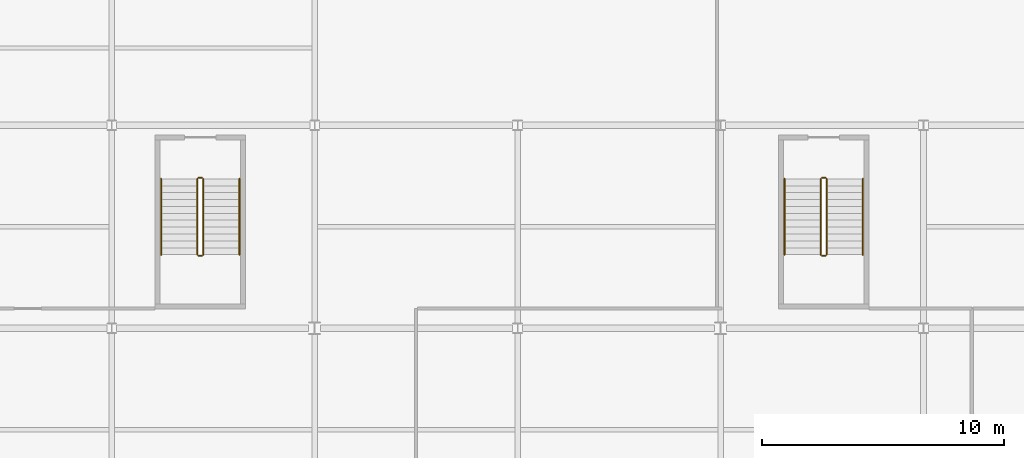
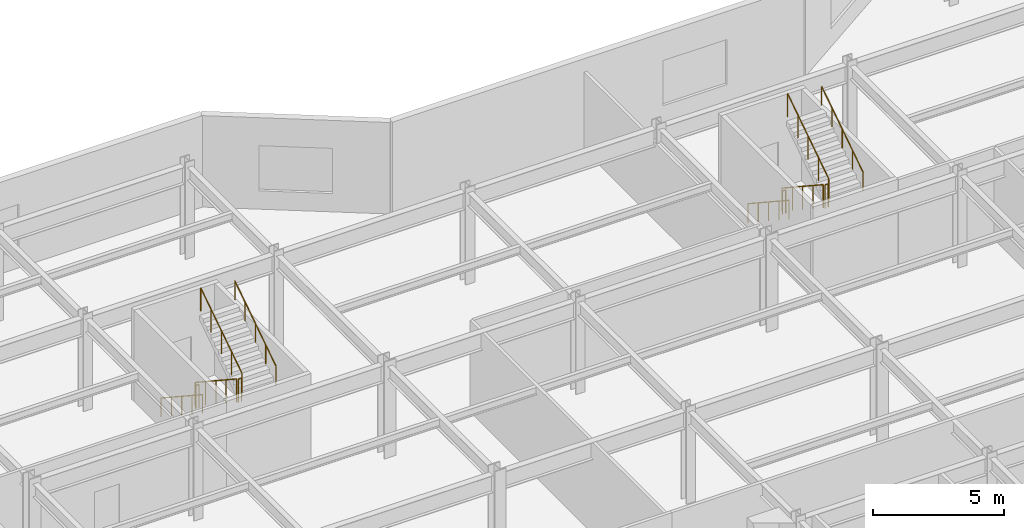
# One storey, part 23 of 26: 12 railings.
"""IFC4 building model written with IfcOpenShell, lengths in metres."""

from ifc_helpers import new_model, si_unit, direction, frame, origin, origin_2d, place, context, subcontext, project, spatial, circle, extrude, material, type_object, element, save


model = new_model("IFC4")

# Units and contexts
model_context = context("Model", 3, precision=1e-05, world=origin(), true_north=direction((0.0, 1.0)))
body_context = subcontext(model_context, "Body", "Model", "MODEL_VIEW")
ifc_project = project(units=[si_unit("LENGTHUNIT", "METRE"), si_unit("AREAUNIT", "SQUARE_METRE"), si_unit("VOLUMEUNIT", "CUBIC_METRE"), si_unit("PLANEANGLEUNIT", "RADIAN"), si_unit("MASSUNIT", "GRAM", prefix="KILO")], contexts=[model_context])

# Site, building, storey
site_placement = place(None, origin())
site = spatial("IfcSite", under=ifc_project, at=site_placement, CompositionType="ELEMENT")
building_placement = place(site_placement, origin())
building = spatial("IfcBuilding", under=site, at=building_placement, Name="Varnakote Quay Hospital", CompositionType="ELEMENT")
storey_placement = place(building_placement, frame((0.0, 0.0, 9.0)))
storey = spatial("IfcBuildingStorey", under=building, at=storey_placement, Name="L02", CompositionType="ELEMENT", Elevation=9.0)

# Railings
ifc_material_1 = material(Name="Brushed stainless steel balustrade", Category="steel")
railing_type_1 = type_object("IfcRailingType", Name="RLG-STAIR-GUARD-1150", PredefinedType="GUARDRAIL", material=ifc_material_1)
railing_1_placement = place(storey_placement, frame((11.949951171875, 34.97998046875, 0.1875)))
element("IfcRailing", 1, at=railing_1_placement, inside=storey, type_object=railing_type_1, Name="L02 ST-04 stair guard 1", PredefinedType="GUARDRAIL", context=body_context, shape_type="SweptSolid", body=[
    extrude(circle(Radius=0.02392578125, at=origin_2d()), frame((0.0, 0.0, 1.076171875), z_axis=(0.0, -0.835417868355, 0.549615306585), x_axis=(1.0, 0.0, 0.0)), (0.0, 0.0, 1.0), 3.752685546875),
    extrude(circle(Radius=0.02099609375, at=origin_2d()), origin(), (0.0, 0.0, 1.0), 1.052001953125),
    extrude(circle(Radius=0.02099609375, at=origin_2d()), frame((0.0, -0.78369140625, 0.515625)), (0.0, 0.0, 1.0), 1.052001953125),
    extrude(circle(Radius=0.02099609375, at=origin_2d()), frame((0.0, -1.5673828125, 1.03125)), (0.0, 0.0, 1.0), 1.052001953125),
    extrude(circle(Radius=0.02099609375, at=origin_2d()), frame((0.0, -2.351318359375, 1.546875)), (0.0, 0.0, 1.0), 1.052001953125),
    extrude(circle(Radius=0.02099609375, at=origin_2d()), frame((0.0, -3.135009765625, 2.0625)), (0.0, 0.0, 1.0), 1.052001953125),
])
railing_2_placement = place(storey_placement, frame((12.0, 31.794921875, 2.25)))
element("IfcRailing", 2, at=railing_2_placement, inside=storey, type_object=railing_type_1, Name="L02 ST-04 stair guard 2", PredefinedType="GUARDRAIL", context=body_context, shape_type="SweptSolid", body=[
    extrude(circle(Radius=0.02392578125, at=origin_2d()), frame((0.0, 0.0, 1.076171875), z_axis=(1.0, 0.0, 0.0), x_axis=(0.0, 1.0, 0.0)), (0.0, 0.0, 1.0), 0.139892578125),
    extrude(circle(Radius=0.02099609375, at=origin_2d()), origin(), (0.0, 0.0, 1.0), 1.052001953125),
    extrude(circle(Radius=0.02099609375, at=origin_2d()), frame((0.139892578125, 0.0, 0.0)), (0.0, 0.0, 1.0), 1.052001953125),
])
railing_3_placement = place(storey_placement, frame((12.18994140625, 31.844970703125, 2.4375)))
element("IfcRailing", 3, at=railing_3_placement, inside=storey, type_object=railing_type_1, Name="L02 ST-04 stair guard 3", PredefinedType="GUARDRAIL", context=body_context, shape_type="SweptSolid", body=[
    extrude(circle(Radius=0.02392578125, at=origin_2d()), frame((0.0, 0.0, 1.076171875), z_axis=(0.0, 0.835417868355, 0.549615306585), x_axis=(-1.0, 0.0, 0.0)), (0.0, 0.0, 1.0), 3.752685546875),
    extrude(circle(Radius=0.02099609375, at=origin_2d()), origin(), (0.0, 0.0, 1.0), 1.052001953125),
    extrude(circle(Radius=0.02099609375, at=origin_2d()), frame((0.0, 0.78369140625, 0.515625)), (0.0, 0.0, 1.0), 1.052001953125),
    extrude(circle(Radius=0.02099609375, at=origin_2d()), frame((0.0, 1.5673828125, 1.03125)), (0.0, 0.0, 1.0), 1.052001953125),
    extrude(circle(Radius=0.02099609375, at=origin_2d()), frame((0.0, 2.351318359375, 1.546875)), (0.0, 0.0, 1.0), 1.052001953125),
    extrude(circle(Radius=0.02099609375, at=origin_2d()), frame((0.0, 3.135009765625, 2.0625)), (0.0, 0.0, 1.0), 1.052001953125),
])
railing_4_placement = place(storey_placement, frame((12.0, 35.030029296875, 0.0)))
element("IfcRailing", 4, at=railing_4_placement, inside=storey, type_object=railing_type_1, Name="L02 ST-04 stair guard 4", PredefinedType="GUARDRAIL", context=body_context, shape_type="SweptSolid", body=[
    extrude(circle(Radius=0.02392578125, at=origin_2d()), frame((0.0, 0.0, 1.076171875), z_axis=(1.0, 0.0, 0.0), x_axis=(0.0, 1.0, 0.0)), (0.0, 0.0, 1.0), 0.139892578125),
    extrude(circle(Radius=0.02099609375, at=origin_2d()), origin(), (0.0, 0.0, 1.0), 1.052001953125),
    extrude(circle(Radius=0.02099609375, at=origin_2d()), frame((0.139892578125, 0.0, 0.0)), (0.0, 0.0, 1.0), 1.052001953125),
])
railing_5_placement = place(storey_placement, frame((37.75, 34.97998046875, 0.1875)))
element("IfcRailing", 5, at=railing_5_placement, inside=storey, type_object=railing_type_1, Name="L02 ST-05 stair guard 1", PredefinedType="GUARDRAIL", context=body_context, shape_type="SweptSolid", body=[
    extrude(circle(Radius=0.02392578125, at=origin_2d()), frame((0.0, 0.0, 1.076171875), z_axis=(0.0, -0.835417868355, 0.549615306585), x_axis=(1.0, 0.0, 0.0)), (0.0, 0.0, 1.0), 3.752685546875),
    extrude(circle(Radius=0.02099609375, at=origin_2d()), origin(), (0.0, 0.0, 1.0), 1.052001953125),
    extrude(circle(Radius=0.02099609375, at=origin_2d()), frame((0.0, -0.78369140625, 0.515625)), (0.0, 0.0, 1.0), 1.052001953125),
    extrude(circle(Radius=0.02099609375, at=origin_2d()), frame((0.0, -1.5673828125, 1.03125)), (0.0, 0.0, 1.0), 1.052001953125),
    extrude(circle(Radius=0.02099609375, at=origin_2d()), frame((0.0, -2.351318359375, 1.546875)), (0.0, 0.0, 1.0), 1.052001953125),
    extrude(circle(Radius=0.02099609375, at=origin_2d()), frame((0.0, -3.135009765625, 2.0625)), (0.0, 0.0, 1.0), 1.052001953125),
])
railing_6_placement = place(storey_placement, frame((37.800048828125, 31.794921875, 2.25)))
element("IfcRailing", 6, at=railing_6_placement, inside=storey, type_object=railing_type_1, Name="L02 ST-05 stair guard 2", PredefinedType="GUARDRAIL", context=body_context, shape_type="SweptSolid", body=[
    extrude(circle(Radius=0.02392578125, at=origin_2d()), frame((0.0, 0.0, 1.076171875), z_axis=(1.0, 0.0, 0.0), x_axis=(0.0, 1.0, 0.0)), (0.0, 0.0, 1.0), 0.139892578125),
    extrude(circle(Radius=0.02099609375, at=origin_2d()), origin(), (0.0, 0.0, 1.0), 1.052001953125),
    extrude(circle(Radius=0.02099609375, at=origin_2d()), frame((0.139892578125, 0.0, 0.0)), (0.0, 0.0, 1.0), 1.052001953125),
])
railing_7_placement = place(storey_placement, frame((37.989990234375, 31.844970703125, 2.4375)))
element("IfcRailing", 7, at=railing_7_placement, inside=storey, type_object=railing_type_1, Name="L02 ST-05 stair guard 3", PredefinedType="GUARDRAIL", context=body_context, shape_type="SweptSolid", body=[
    extrude(circle(Radius=0.02392578125, at=origin_2d()), frame((0.0, 0.0, 1.076171875), z_axis=(0.0, 0.835417868355, 0.549615306585), x_axis=(-1.0, 0.0, 0.0)), (0.0, 0.0, 1.0), 3.752685546875),
    extrude(circle(Radius=0.02099609375, at=origin_2d()), origin(), (0.0, 0.0, 1.0), 1.052001953125),
    extrude(circle(Radius=0.02099609375, at=origin_2d()), frame((0.0, 0.78369140625, 0.515625)), (0.0, 0.0, 1.0), 1.052001953125),
    extrude(circle(Radius=0.02099609375, at=origin_2d()), frame((0.0, 1.5673828125, 1.03125)), (0.0, 0.0, 1.0), 1.052001953125),
    extrude(circle(Radius=0.02099609375, at=origin_2d()), frame((0.0, 2.351318359375, 1.546875)), (0.0, 0.0, 1.0), 1.052001953125),
    extrude(circle(Radius=0.02099609375, at=origin_2d()), frame((0.0, 3.135009765625, 2.0625)), (0.0, 0.0, 1.0), 1.052001953125),
])
railing_8_placement = place(storey_placement, frame((37.800048828125, 35.030029296875, 0.0)))
element("IfcRailing", 8, at=railing_8_placement, inside=storey, type_object=railing_type_1, Name="L02 ST-05 stair guard 4", PredefinedType="GUARDRAIL", context=body_context, shape_type="SweptSolid", body=[
    extrude(circle(Radius=0.02392578125, at=origin_2d()), frame((0.0, 0.0, 1.076171875), z_axis=(1.0, 0.0, 0.0), x_axis=(0.0, 1.0, 0.0)), (0.0, 0.0, 1.0), 0.139892578125),
    extrude(circle(Radius=0.02099609375, at=origin_2d()), origin(), (0.0, 0.0, 1.0), 1.052001953125),
    extrude(circle(Radius=0.02099609375, at=origin_2d()), frame((0.139892578125, 0.0, 0.0)), (0.0, 0.0, 1.0), 1.052001953125),
])
ifc_material_2 = material(Name="Brushed stainless steel handrail", Category="steel")
railing_type_2 = type_object("IfcRailingType", Name="RLG-STAIR-HND-920", PredefinedType="HANDRAIL", material=ifc_material_2)
railing_9_placement = place(storey_placement, frame((10.449951171875, 34.97998046875, 0.1875)))
element("IfcRailing", 9, at=railing_9_placement, inside=storey, type_object=railing_type_2, Name="L02 ST-04 stair handrail 1", PredefinedType="HANDRAIL", context=body_context, shape_type="SweptSolid", body=[
    extrude(circle(Radius=0.02392578125, at=origin_2d()), frame((0.0, 0.0, 0.8759765625), z_axis=(0.0, -0.835417868355, 0.549615306585), x_axis=(1.0, 0.0, 0.0)), (0.0, 0.0, 1.0), 3.752685546875),
    extrude(circle(Radius=0.02099609375, at=origin_2d()), origin(), (0.0, 0.0, 1.0), 0.851806640625),
    extrude(circle(Radius=0.02099609375, at=origin_2d()), frame((0.0, -0.78369140625, 0.515625)), (0.0, 0.0, 1.0), 0.851806640625),
    extrude(circle(Radius=0.02099609375, at=origin_2d()), frame((0.0, -1.5673828125, 1.03125)), (0.0, 0.0, 1.0), 0.851806640625),
    extrude(circle(Radius=0.02099609375, at=origin_2d()), frame((0.0, -2.351318359375, 1.546875)), (0.0, 0.0, 1.0), 0.851806640625),
    extrude(circle(Radius=0.02099609375, at=origin_2d()), frame((0.0, -3.135009765625, 2.0625)), (0.0, 0.0, 1.0), 0.851806640625),
])
railing_10_placement = place(storey_placement, frame((13.68994140625, 31.844970703125, 2.4375)))
element("IfcRailing", 10, at=railing_10_placement, inside=storey, type_object=railing_type_2, Name="L02 ST-04 stair handrail 2", PredefinedType="HANDRAIL", context=body_context, shape_type="SweptSolid", body=[
    extrude(circle(Radius=0.02392578125, at=origin_2d()), frame((0.0, 0.0, 0.8759765625), z_axis=(0.0, 0.835417868355, 0.549615306585), x_axis=(-1.0, 0.0, 0.0)), (0.0, 0.0, 1.0), 3.752685546875),
    extrude(circle(Radius=0.02099609375, at=origin_2d()), origin(), (0.0, 0.0, 1.0), 0.851806640625),
    extrude(circle(Radius=0.02099609375, at=origin_2d()), frame((0.0, 0.78369140625, 0.515625)), (0.0, 0.0, 1.0), 0.851806640625),
    extrude(circle(Radius=0.02099609375, at=origin_2d()), frame((0.0, 1.5673828125, 1.03125)), (0.0, 0.0, 1.0), 0.851806640625),
    extrude(circle(Radius=0.02099609375, at=origin_2d()), frame((0.0, 2.351318359375, 1.546875)), (0.0, 0.0, 1.0), 0.851806640625),
    extrude(circle(Radius=0.02099609375, at=origin_2d()), frame((0.0, 3.135009765625, 2.0625)), (0.0, 0.0, 1.0), 0.851806640625),
])
railing_11_placement = place(storey_placement, frame((36.25, 34.97998046875, 0.1875)))
element("IfcRailing", 11, at=railing_11_placement, inside=storey, type_object=railing_type_2, Name="L02 ST-05 stair handrail 1", PredefinedType="HANDRAIL", context=body_context, shape_type="SweptSolid", body=[
    extrude(circle(Radius=0.02392578125, at=origin_2d()), frame((0.0, 0.0, 0.8759765625), z_axis=(0.0, -0.835417868355, 0.549615306585), x_axis=(1.0, 0.0, 0.0)), (0.0, 0.0, 1.0), 3.752685546875),
    extrude(circle(Radius=0.02099609375, at=origin_2d()), origin(), (0.0, 0.0, 1.0), 0.851806640625),
    extrude(circle(Radius=0.02099609375, at=origin_2d()), frame((0.0, -0.78369140625, 0.515625)), (0.0, 0.0, 1.0), 0.851806640625),
    extrude(circle(Radius=0.02099609375, at=origin_2d()), frame((0.0, -1.5673828125, 1.03125)), (0.0, 0.0, 1.0), 0.851806640625),
    extrude(circle(Radius=0.02099609375, at=origin_2d()), frame((0.0, -2.351318359375, 1.546875)), (0.0, 0.0, 1.0), 0.851806640625),
    extrude(circle(Radius=0.02099609375, at=origin_2d()), frame((0.0, -3.135009765625, 2.0625)), (0.0, 0.0, 1.0), 0.851806640625),
])
railing_12_placement = place(storey_placement, frame((39.489990234375, 31.844970703125, 2.4375)))
element("IfcRailing", 12, at=railing_12_placement, inside=storey, type_object=railing_type_2, Name="L02 ST-05 stair handrail 2", PredefinedType="HANDRAIL", context=body_context, shape_type="SweptSolid", body=[
    extrude(circle(Radius=0.02392578125, at=origin_2d()), frame((0.0, 0.0, 0.8759765625), z_axis=(0.0, 0.835417868355, 0.549615306585), x_axis=(-1.0, 0.0, 0.0)), (0.0, 0.0, 1.0), 3.752685546875),
    extrude(circle(Radius=0.02099609375, at=origin_2d()), origin(), (0.0, 0.0, 1.0), 0.851806640625),
    extrude(circle(Radius=0.02099609375, at=origin_2d()), frame((0.0, 0.78369140625, 0.515625)), (0.0, 0.0, 1.0), 0.851806640625),
    extrude(circle(Radius=0.02099609375, at=origin_2d()), frame((0.0, 1.5673828125, 1.03125)), (0.0, 0.0, 1.0), 0.851806640625),
    extrude(circle(Radius=0.02099609375, at=origin_2d()), frame((0.0, 2.351318359375, 1.546875)), (0.0, 0.0, 1.0), 0.851806640625),
    extrude(circle(Radius=0.02099609375, at=origin_2d()), frame((0.0, 3.135009765625, 2.0625)), (0.0, 0.0, 1.0), 0.851806640625),
])

save(model, "model.ifc")
